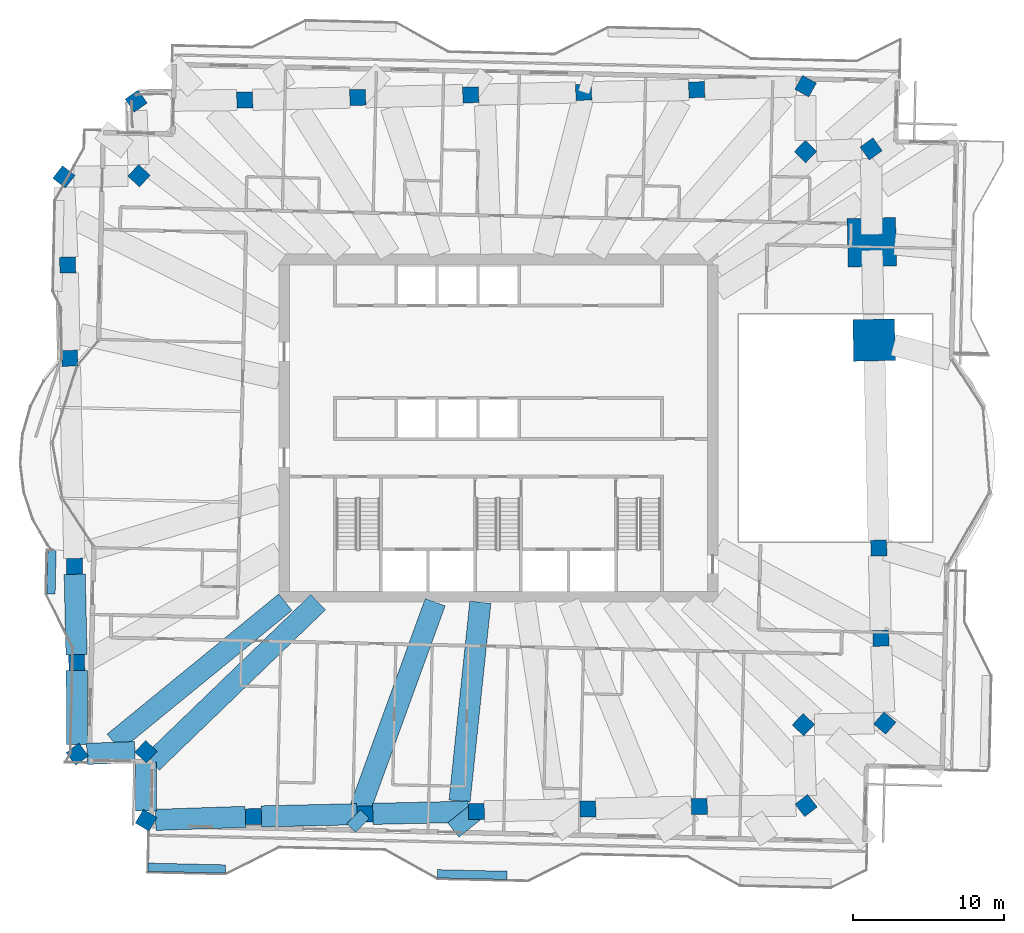
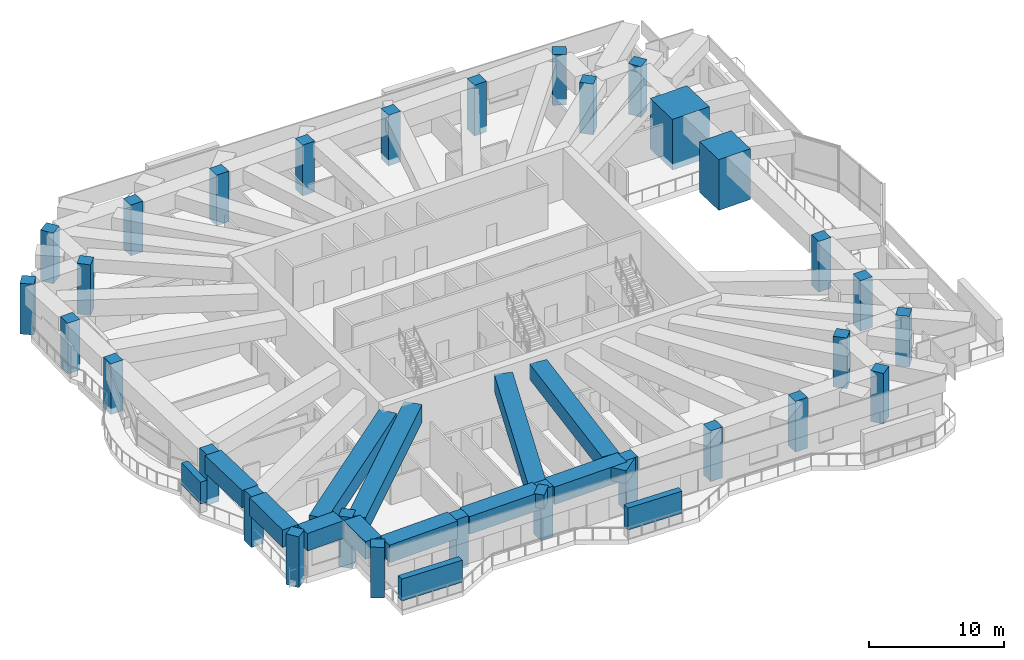
# One storey, part 1 of 20: 30 columns, 13 beams, 3 members.
"""IFC4 building model written with IfcOpenShell, lengths in metres."""

from ifc_helpers import new_model, si_unit, direction, frame, origin, origin_2d, place, context, subcontext, project, spatial, rectangle, extrude, material, material_profile, profile_set, type_object, element, save


model = new_model("IFC4")

# Units and contexts
model_context = context("Model", 3, precision=1e-05, world=origin(), true_north=direction((0.0, 1.0)))
body_context = subcontext(model_context, "Body", "Model", "MODEL_VIEW")
ifc_project = project(units=[si_unit("LENGTHUNIT", "METRE"), si_unit("AREAUNIT", "SQUARE_METRE"), si_unit("VOLUMEUNIT", "CUBIC_METRE"), si_unit("PLANEANGLEUNIT", "RADIAN"), si_unit("MASSUNIT", "GRAM", prefix="KILO")], contexts=[model_context])

# Site, building, storey
site_placement = place(None, origin())
site = spatial("IfcSite", under=ifc_project, at=site_placement, CompositionType="ELEMENT")
building_placement = place(site_placement, origin())
building = spatial("IfcBuilding", under=site, at=building_placement, Name="Mangrove Gate Tower", CompositionType="ELEMENT")
storey_placement = place(building_placement, frame((0.0, 0.0, 252.699951171875)))
storey = spatial("IfcBuildingStorey", under=building, at=storey_placement, Name="L64", CompositionType="ELEMENT", Elevation=252.699951171875)

# Columns
ifc_material_1 = material(Name="Concrete C60/75", Category="concrete")
ifc_material_profile_1 = material_profile(ifc_material_1, rectangle(XDim=1.050048828125, YDim=1.050048828125, at=origin_2d()))
ifc_profile_set_1 = profile_set([ifc_material_profile_1], Name="Concrete C60/75")
column_type_1 = type_object("IfcColumnType", Name="Column RC 1050x1050 C60/75", PredefinedType="COLUMN", material=ifc_profile_set_1)
for number, where, z_axis, x_axis, name in (
    (1, (-28.01611328125, -9.1259765625, -0.550048828125), (0.0, 0.0, 1.0), (0.022671716894, -0.999742963593, 0.0), "Column L64 W05"),
    (2, (-27.8720703125, -15.487060546875, -0.550048828125), (0.0, 0.0, 1.0), (0.02271069751, -0.999742078848, 0.0), "Column L64 W06"),
    (3, (-27.83349609375, -21.54296875, -0.550048828125), (0.0, 0.0, 1.0), (0.604088172923, -0.796917485901, 0.0), "Column L64 W07"),
    (4, (-23.291259765625, -21.37646484375, -0.550048828125), (0.0, 0.0, 1.0), (0.722988982899, -0.690859559249, 0.0), "Column L64 W08"),
    (5, (-23.28125, -25.90234375, -0.550048828125), (0.0, 0.0, 1.0), (0.860102602096, -0.510121077655, 0.0), "Column L64 S01"),
    (6, (-16.19482421875, -25.662109375, -0.550048828125), (0.0, 0.0, 1.0), (0.999743095343, 0.022665906441, 0.0), "Column L64 S02"),
    (7, (-8.828857421875, -25.4951171875, -0.550048828125), (0.0, 0.0, 1.0), (0.999743095343, 0.022665906441, 0.0), "Column L64 S03"),
    (8, (-1.462890625, -25.328125, -0.550048828125), (0.0, 0.0, 1.0), (0.999743095343, 0.022665906441, 0.0), "Column L64 S04"),
    (9, (5.903076171875, -25.1611328125, -0.550048828125), (0.0, 0.0, 1.0), (0.999743095343, 0.022665906441, 0.0), "Column L64 S05"),
    (10, (13.26904296875, -24.994140625, -0.550048828125), (0.0, 0.0, 1.0), (0.999741555365, 0.022733729908, 0.0), "Column L64 S06"),
    (11, (20.3271484375, -24.934814453125, -0.550048828125), (0.0, 0.0, 1.0), (0.792957554961, 0.609276879612, 0.0), "Column L64 S07"),
    (12, (20.1455078125, -19.59033203125, -0.550048828125), (0.0, 0.0, 1.0), (0.690952060098, 0.72290058144, 0.0), "Column L64 E01"),
    (13, (25.52685546875, -19.486572265625, -0.550048828125), (0.0, 0.0, 1.0), (0.654234577243, 0.756291688398, 0.0), "Column L64 E02"),
    (14, (25.26318359375, -13.880859375, -0.550048828125), (0.0, 0.0, 1.0), (-0.022727116819, 0.999741705723, 0.0), "Column L64 E03"),
    (15, (25.128173828125, -7.9208984375, -0.550048828125), (0.0, 0.0, 1.0), (-0.022676462969, 0.999742855952, 0.0), "Column L64 E04"),
    (16, (24.620849609375, 18.454833984375, -0.550048828125), (0.0, 0.0, 1.0), (-0.581359179883, 0.813647038934, 0.0), "Column L64 E07"),
    (17, (20.286376953125, 18.280517578125, -0.550048828125), (0.0, 0.0, 1.0), (-0.722994264183, 0.690854032309, 0.0), "Column L64 E08"),
    (18, (20.29296875, 22.600830078125, -0.550048828125), (0.0, 0.0, 1.0), (-0.872897238591, 0.487904100064, 0.0), "Column L64 N01"),
    (19, (13.094970703125, 22.364013671875, -0.550048828125), (0.0, 0.0, 1.0), (-0.999742388325, -0.022697070002, 0.0), "Column L64 N02"),
    (20, (5.62890625, 22.195068359375, -0.550048828125), (0.0, 0.0, 1.0), (-0.999743905277, -0.022630153817, 0.0), "Column L64 N03"),
    (21, (-1.837158203125, 22.026123046875, -0.550048828125), (0.0, 0.0, 1.0), (-0.999742388325, -0.022697070002, 0.0), "Column L64 N04"),
    (22, (-9.302978515625, 21.856201171875, -0.550048828125), (0.0, 0.0, 1.0), (-0.999742388325, -0.022697070002, 0.0), "Column L64 N05"),
    (23, (-16.76904296875, 21.687255859375, -0.550048828125), (0.0, 0.0, 1.0), (-0.999742388325, -0.022697070002, 0.0), "Column L64 N06"),
    (24, (-23.945068359375, 21.612548828125, -0.550048828125), (0.0, 0.0, 1.0), (-0.818137935301, -0.575022015946, 0.0), "Column L64 N07"),
    (25, (-23.75439453125, 16.68115234375, -0.550048828125), (0.0, 0.0, 1.0), (-0.690946470748, -0.722905923728, 0.0), "Column L64 W01"),
    (26, (-28.718017578125, 16.608642578125, -0.550048828125), (0.0, 0.0, 1.0), (-0.612246894698, -0.790666642734, 0.0), "Column L64 W02"),
    (27, (-28.468017578125, 10.781005859375, -0.550048828125), (0.0, 0.0, 1.0), (0.022719561495, -0.999741877449, 0.0), "Column L64 W03"),
    (28, (-28.328125, 4.620849609375, -0.550048828125), (0.0, 0.0, 1.0), (0.022699722219, -0.999742328108, 0.0), "Column L64 W04"),
):
    element("IfcColumn", number, at=place(storey_placement, frame(where, z_axis=z_axis, x_axis=x_axis)), inside=storey, type_object=column_type_1, Name=name, PredefinedType="COLUMN", context=body_context, shape_type="SweptSolid", body=[
        extrude(rectangle(XDim=1.050048828125, YDim=1.050048828125, at=origin_2d()), origin(), (0.0, 0.0, 1.0), 4.60009765625),
    ])
ifc_material_2 = material(Name="Concrete C60/75", Category="concrete")
ifc_material_profile_2 = material_profile(ifc_material_2, rectangle(XDim=2.75, YDim=2.75, at=origin_2d()))
ifc_profile_set_2 = profile_set([ifc_material_profile_2], Name="Concrete C60/75")
column_type_2 = type_object("IfcColumnType", Name="Column RC 2750x2750 C60/75", PredefinedType="COLUMN", material=ifc_profile_set_2)
column_1_placement = place(storey_placement, frame((24.816162109375, 5.826171875, -0.550048828125), z_axis=(0.0, 0.0, 1.0), x_axis=(-0.022707923152, 0.999742141868, 0.0)))
element("IfcColumn", 29, at=column_1_placement, inside=storey, type_object=column_type_2, Name="Column L64 E05", PredefinedType="COLUMN", context=body_context, shape_type="SweptSolid", body=[
    extrude(rectangle(XDim=2.75, YDim=2.75, at=origin_2d()), origin(), (0.0, 0.0, 1.0), 4.60009765625),
])
ifc_material_3 = material(Name="Concrete C60/75", Category="concrete")
ifc_material_profile_3 = material_profile(ifc_material_3, rectangle(XDim=3.199951171875, YDim=3.199951171875, at=origin_2d()))
ifc_profile_set_3 = profile_set([ifc_material_profile_3], Name="Concrete C60/75")
column_type_3 = type_object("IfcColumnType", Name="Column RC 3200x3200 C60/75", PredefinedType="COLUMN", material=ifc_profile_set_3)
column_2_placement = place(storey_placement, frame((24.669189453125, 12.287109375, -0.550048828125), z_axis=(0.0, 0.0, 1.0), x_axis=(-0.022668680801, 0.999743032439, 0.0)))
element("IfcColumn", 30, at=column_2_placement, inside=storey, type_object=column_type_3, Name="Column L64 E06", PredefinedType="COLUMN", context=body_context, shape_type="SweptSolid", body=[
    extrude(rectangle(XDim=3.199951171875, YDim=3.199951171875, at=origin_2d()), origin(), (0.0, 0.0, 1.0), 4.60009765625),
])

# Members
ifc_material_4 = material(Name="Planting on aluminium trellis", Category="aluminium")
ifc_material_profile_4 = material_profile(ifc_material_4, rectangle(XDim=0.550048828125, YDim=2.0, at=origin_2d()))
ifc_profile_set_4 = profile_set([ifc_material_profile_4], Name="Planting on aluminium trellis")
member_type = type_object("IfcMemberType", Name="Balcony greenery screen 550x2000", PredefinedType="USERDEFINED", material=ifc_profile_set_4)
member_1_placement = place(storey_placement, frame((-29.570068359375, -10.945068359375, 1.800048828125), z_axis=(0.022675106248, 0.999742886725, 0.0), x_axis=(-0.999742886725, 0.022675106248, 0.0)))
element("IfcMember", 31, at=member_1_placement, inside=storey, type_object=member_type, Name="GREEN SCREEN L64 W1.1", ObjectType="PLANTING", PredefinedType="USERDEFINED", context=body_context, shape_type="SweptSolid", body=[
    extrude(rectangle(XDim=0.550048828125, YDim=2.0, at=origin_2d()), origin(), (0.0, 0.0, 1.0), 2.874755859375),
])
member_2_placement = place(storey_placement, frame((-23.1630859375, -29.010009765625, 1.800048828125), z_axis=(0.999740680705, -0.022772161589, 0.0), x_axis=(0.022772161589, 0.999740680705, 0.0)))
element("IfcMember", 32, at=member_2_placement, inside=storey, type_object=member_type, Name="GREEN SCREEN L64 S0.1", ObjectType="PLANTING", PredefinedType="USERDEFINED", context=body_context, shape_type="SweptSolid", body=[
    extrude(rectangle(XDim=0.550048828125, YDim=2.0, at=origin_2d()), origin(), (0.0, 0.0, 1.0), 5.13525390625),
])
member_3_placement = place(storey_placement, frame((-4.031982421875, -29.444091796875, 1.800048828125), z_axis=(0.999739556364, -0.022821468877, 0.0), x_axis=(0.022821468877, 0.999739556364, 0.0)))
element("IfcMember", 33, at=member_3_placement, inside=storey, type_object=member_type, Name="GREEN SCREEN L64 S0.2", ObjectType="PLANTING", PredefinedType="USERDEFINED", context=body_context, shape_type="SweptSolid", body=[
    extrude(rectangle(XDim=0.550048828125, YDim=2.0, at=origin_2d()), origin(), (0.0, 0.0, 1.0), 4.60009765625),
])

# Beams
ifc_material_5 = material(Name="Concrete C60/75", Category="concrete")
ifc_material_profile_5 = material_profile(ifc_material_5, rectangle(XDim=1.199951171875, YDim=1.199951171875, at=origin_2d()))
ifc_profile_set_5 = profile_set([ifc_material_profile_5], Name="Concrete C60/75")
beam_type_1 = type_object("IfcBeamType", Name="Transfer girder RC 1200x1200 C60/75", PredefinedType="BEAM", material=ifc_profile_set_5)
beam_1_placement = place(storey_placement, frame((-1.462890625, -25.328125, 3.449951171875), z_axis=(-0.781735281025, -0.623610415565, 0.0), x_axis=(0.623610415565, -0.781735281025, 0.0)))
element("IfcBeam", 34, at=beam_1_placement, inside=storey, type_object=beam_type_1, Name="Transfer edge girder L64 07", PredefinedType="BEAM", context=body_context, shape_type="SweptSolid", body=[
    extrude(rectangle(XDim=1.199951171875, YDim=1.199951171875, at=origin_2d()), origin(), (0.0, 0.0, 1.0), 1.949951171875),
])
ifc_material_6 = material(Name="Concrete C60/75", Category="concrete")
ifc_material_profile_6 = material_profile(ifc_material_6, rectangle(XDim=1.39990234375, YDim=1.39990234375, at=origin_2d()))
ifc_profile_set_6 = profile_set([ifc_material_profile_6], Name="Concrete C60/75")
beam_type_2 = type_object("IfcBeamType", Name="Transfer girder RC 1400x1400 C60/75", PredefinedType="BEAM", material=ifc_profile_set_6)
beam_2_placement = place(storey_placement, frame((-1.200927734375, -11.5, 3.35009765625), z_axis=(-0.103881461631, -0.994589685212, 0.0), x_axis=(0.994589685212, -0.103881461631, 0.0)))
element("IfcBeam", 35, at=beam_2_placement, inside=storey, type_object=beam_type_2, Name="Transfer girder L64 07", PredefinedType="BEAM", context=body_context, shape_type="SweptSolid", body=[
    extrude(rectangle(XDim=1.39990234375, YDim=1.39990234375, at=origin_2d()), origin(), (0.0, 0.0, 1.0), 13.21044921875),
])
ifc_material_7 = material(Name="Concrete C60/75", Category="concrete")
ifc_material_profile_7 = material_profile(ifc_material_7, rectangle(XDim=1.39990234375, YDim=1.5, at=origin_2d()))
ifc_profile_set_7 = profile_set([ifc_material_profile_7], Name="Concrete C60/75")
beam_type_3 = type_object("IfcBeamType", Name="Transfer girder RC 1400x1500 C60/75", PredefinedType="BEAM", material=ifc_profile_set_7)
beam_3_placement = place(storey_placement, frame((-14.0849609375, -11.5, 3.300048828125), z_axis=(-0.774606648208, -0.632443310149, 0.0), x_axis=(0.632443310149, -0.774606648208, 0.0)))
element("IfcBeam", 36, at=beam_3_placement, inside=storey, type_object=beam_type_3, Name="Transfer girder L64 02", PredefinedType="BEAM", context=body_context, shape_type="SweptSolid", body=[
    extrude(rectangle(XDim=1.39990234375, YDim=1.5, at=origin_2d()), origin(), (0.0, 0.0, 1.0), 14.631591796875),
])
beam_4_placement = place(storey_placement, frame((-4.18359375, -11.5, 3.300048828125), z_axis=(-0.341868014754, -0.939747977113, 0.0), x_axis=(0.939747977113, -0.341868014754, 0.0)))
element("IfcBeam", 37, at=beam_4_placement, inside=storey, type_object=beam_type_3, Name="Transfer girder L64 06", PredefinedType="BEAM", context=body_context, shape_type="SweptSolid", body=[
    extrude(rectangle(XDim=1.39990234375, YDim=1.5, at=origin_2d()), origin(), (0.0, 0.0, 1.0), 14.9033203125),
])
ifc_material_8 = material(Name="Concrete C60/75", Category="concrete")
ifc_material_profile_8 = material_profile(ifc_material_8, rectangle(XDim=1.39990234375, YDim=1.60009765625, at=origin_2d()))
ifc_profile_set_8 = profile_set([ifc_material_profile_8], Name="Concrete C60/75")
beam_type_4 = type_object("IfcBeamType", Name="Transfer girder RC 1400x1600 C60/75", PredefinedType="BEAM", material=ifc_profile_set_8)
beam_5_placement = place(storey_placement, frame((-28.004150390625, -9.65087890625, 3.25), z_axis=(0.022609709445, -0.999744367846, 0.0), x_axis=(0.999744367846, 0.022609709445, 0.0)))
element("IfcBeam", 38, at=beam_5_placement, inside=storey, type_object=beam_type_4, Name="Transfer ring girder L64 00", PredefinedType="BEAM", context=body_context, shape_type="SweptSolid", body=[
    extrude(rectangle(XDim=1.39990234375, YDim=1.60009765625, at=origin_2d()), origin(), (0.0, 0.0, 1.0), 5.312744140625),
])
beam_6_placement = place(storey_placement, frame((-27.868896484375, -16.01220703125, 3.25), z_axis=(0.006360047646, -0.999979774692, 0.0), x_axis=(0.999979774692, 0.006360047646, 0.0)))
element("IfcBeam", 39, at=beam_6_placement, inside=storey, type_object=beam_type_4, Name="Transfer ring girder L64 01", PredefinedType="BEAM", context=body_context, shape_type="SweptSolid", body=[
    extrude(rectangle(XDim=1.39990234375, YDim=1.60009765625, at=origin_2d()), origin(), (0.0, 0.0, 1.0), 4.875),
])
beam_7_placement = place(storey_placement, frame((-27.192626953125, -21.519287109375, 3.25), z_axis=(0.999331289384, 0.036564655866, 0.0), x_axis=(-0.036564655866, 0.999331289384, 0.0)))
element("IfcBeam", 40, at=beam_7_placement, inside=storey, type_object=beam_type_4, Name="Transfer ring girder L64 02", PredefinedType="BEAM", context=body_context, shape_type="SweptSolid", body=[
    extrude(rectangle(XDim=1.39990234375, YDim=1.60009765625, at=origin_2d()), origin(), (0.0, 0.0, 1.0), 3.171630859375),
])
beam_8_placement = place(storey_placement, frame((-23.289794921875, -22.104248046875, 3.25), z_axis=(0.002298140093, -0.999997359273, 0.0), x_axis=(0.999997359273, 0.002298140093, 0.0)))
element("IfcBeam", 41, at=beam_8_placement, inside=storey, type_object=beam_type_4, Name="Transfer ring girder L64 03", PredefinedType="BEAM", context=body_context, shape_type="SweptSolid", body=[
    extrude(rectangle(XDim=1.39990234375, YDim=1.60009765625, at=origin_2d()), origin(), (0.0, 0.0, 1.0), 3.18701171875),
])
beam_9_placement = place(storey_placement, frame((-22.658203125, -25.88134765625, 3.25), z_axis=(0.999425310305, 0.033897627076, 0.0), x_axis=(-0.033897627076, 0.999425310305, 0.0)))
element("IfcBeam", 42, at=beam_9_placement, inside=storey, type_object=beam_type_4, Name="Transfer ring girder L64 04", PredefinedType="BEAM", context=body_context, shape_type="SweptSolid", body=[
    extrude(rectangle(XDim=1.39990234375, YDim=1.60009765625, at=origin_2d()), origin(), (0.0, 0.0, 1.0), 5.94189453125),
])
for number, where, z_axis, x_axis, name in (
    (43, (-15.669921875, -25.650146484375, 3.25), (0.99974356829, 0.02264503618, 0.0), (-0.02264503618, 0.99974356829, 0.0), "Transfer ring girder L64 05"),
    (44, (-8.303955078125, -25.483154296875, 3.25), (0.99974356829, 0.02264503618, 0.0), (-0.02264503618, 0.99974356829, 0.0), "Transfer ring girder L64 06"),
):
    element("IfcBeam", number, at=place(storey_placement, frame(where, z_axis=z_axis, x_axis=x_axis)), inside=storey, type_object=beam_type_4, Name=name, PredefinedType="BEAM", context=body_context, shape_type="SweptSolid", body=[
        extrude(rectangle(XDim=1.39990234375, YDim=1.60009765625, at=origin_2d()), origin(), (0.0, 0.0, 1.0), 6.31787109375),
    ])
beam_10_placement = place(storey_placement, frame((-11.91845703125, -11.5, 3.25), z_axis=(-0.719616718034, -0.694371499362, 0.0), x_axis=(0.694371499362, -0.719616718034, 0.0)))
element("IfcBeam", 45, at=beam_10_placement, inside=storey, type_object=beam_type_4, Name="Transfer girder L64 03", PredefinedType="BEAM", context=body_context, shape_type="SweptSolid", body=[
    extrude(rectangle(XDim=1.39990234375, YDim=1.60009765625, at=origin_2d()), origin(), (0.0, 0.0, 1.0), 15.260498046875),
])
ifc_material_9 = material(Name="Concrete C60/75", Category="concrete")
ifc_material_profile_9 = material_profile(ifc_material_9, rectangle(XDim=0.800048828125, YDim=1.25, at=origin_2d()))
ifc_profile_set_9 = profile_set([ifc_material_profile_9], Name="Concrete C60/75")
beam_type_5 = type_object("IfcBeamType", Name="Transfer girder RC 800x1250 C60/75", PredefinedType="BEAM", material=ifc_profile_set_9)
beam_11_placement = place(storey_placement, frame((-8.828857421875, -25.4951171875, 3.425048828125), z_axis=(-0.704565118584, -0.709639340563, 0.0), x_axis=(0.709639340563, -0.704565118584, 0.0)))
element("IfcBeam", 46, at=beam_11_placement, inside=storey, type_object=beam_type_5, Name="Transfer edge girder L64 06", PredefinedType="BEAM", context=body_context, shape_type="SweptSolid", body=[
    extrude(rectangle(XDim=0.800048828125, YDim=1.25, at=origin_2d()), origin(), (0.0, 0.0, 1.0), 1.299072265625),
])

save(model, "model.ifc")
